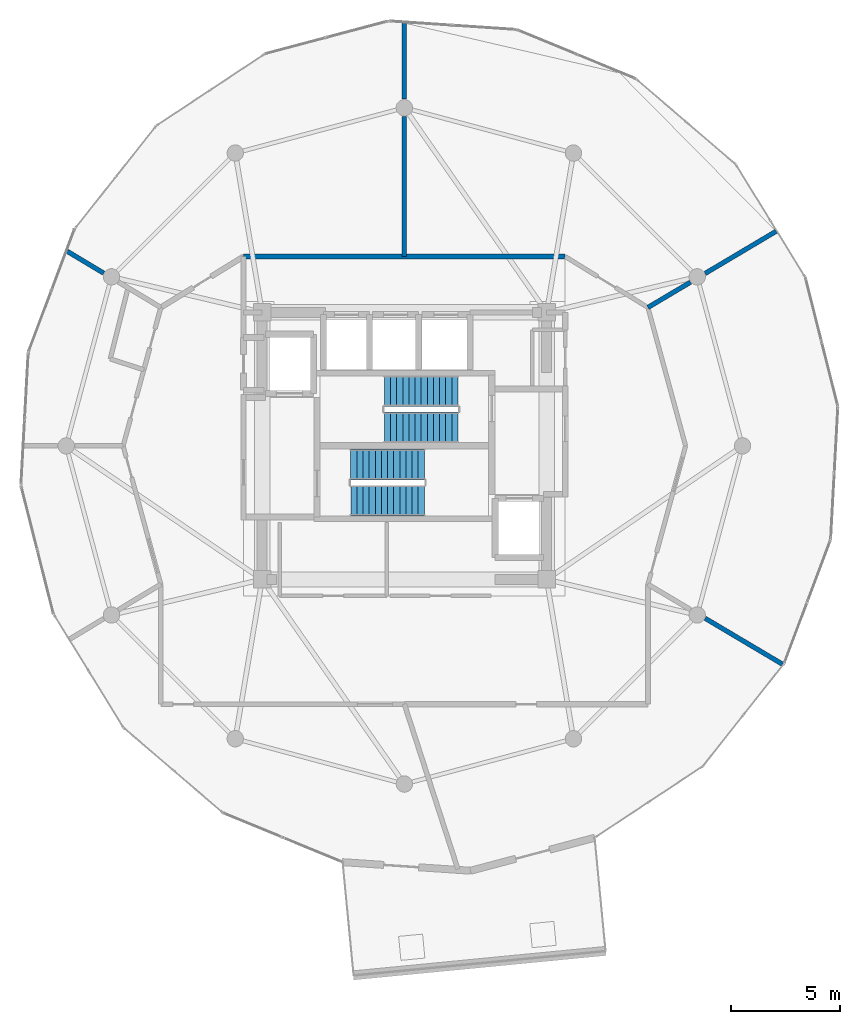
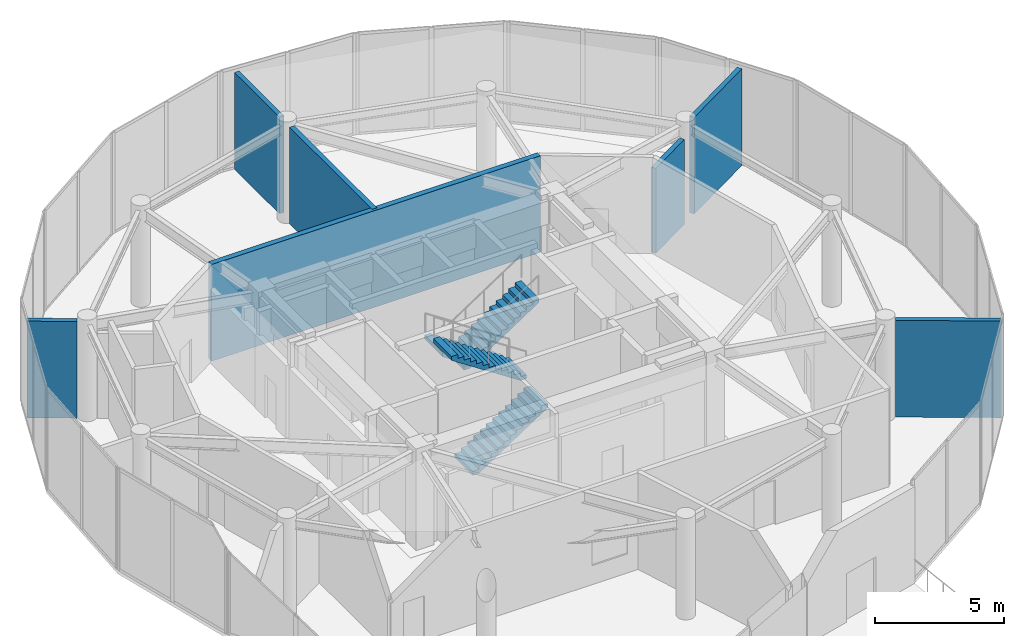
# One storey, part 19 of 21: 7 walls, 4 stair flights, 2 elements without a shape of their own.
"""IFC4 building model written with IfcOpenShell, lengths in metres."""

from ifc_helpers import new_model, si_unit, direction, frame, frame_2d, origin, place, context, subcontext, project, spatial, polyline, rectangle, outline, extrude, material, layer, layer_set, type_object, element, aggregate, save


model = new_model("IFC4")

# Units and contexts
model_context = context("Model", 3, precision=1e-05, world=origin(), true_north=direction((0.0, 1.0)))
body_context = subcontext(model_context, "Body", "Model", "MODEL_VIEW")
ifc_project = project(units=[si_unit("LENGTHUNIT", "METRE"), si_unit("AREAUNIT", "SQUARE_METRE"), si_unit("VOLUMEUNIT", "CUBIC_METRE"), si_unit("PLANEANGLEUNIT", "RADIAN"), si_unit("MASSUNIT", "GRAM", prefix="KILO")], contexts=[model_context])

# Site, building, storey
site_placement = place(None, origin())
site = spatial("IfcSite", under=ifc_project, at=site_placement, CompositionType="ELEMENT")
building_placement = place(site_placement, origin())
building = spatial("IfcBuilding", under=site, at=building_placement, Name="Solvirekh Grand Hotel", CompositionType="ELEMENT")
storey_placement = place(building_placement, frame((0.0, 0.0, 262.0)))
storey = spatial("IfcBuildingStorey", under=building, at=storey_placement, Name="L68", CompositionType="ELEMENT", Elevation=262.0)

# Walls
ifc_material_1 = material(Name="Acoustic Gypsum Partition Assembly")
ifc_layer_1 = layer(ifc_material_1, 0.239990234375)
ifc_layer_set_1 = layer_set([ifc_layer_1], Name="Acoustic Gypsum Partition Assembly")
wall_type_1 = type_object("IfcWallType", Name="Part_Corridor_240", PredefinedType="PARTITIONING", material=ifc_layer_set_1)
wall_1_placement = place(storey_placement, frame((-7.35009765625, 8.64990234375, 0.0), z_axis=(0.0, 0.0, 1.0), x_axis=(1.0, 0.0, 0.0)))
element("IfcWall", 1, at=wall_1_placement, inside=storey, type_object=wall_type_1, Name="L68 north lift lobby enclosure wall", PredefinedType="PARTITIONING", context=body_context, shape_type="SweptSolid", body=[
    extrude(rectangle(XDim=14.7001953125, YDim=0.239990234375, at=frame_2d((7.35009765625, 0.0))), origin(), (0.0, 0.0, 1.0), 4.570068359375),
])
ifc_layer_2 = layer(ifc_material_1, 0.2099609375)
ifc_layer_set_2 = layer_set([ifc_layer_2], Name="Acoustic Gypsum Partition Assembly")
wall_type_2 = type_object("IfcWallType", Name="Part_SuiteDemise_210", PredefinedType="PARTITIONING", material=ifc_layer_set_2)
wall_2_placement = place(storey_placement, frame((11.1279296875, 6.324951171875, 0.0), z_axis=(0.0, 0.0, 1.0), x_axis=(0.859488422008, 0.511155213642, 0.0)))
element("IfcWall", 2, at=wall_2_placement, inside=storey, type_object=wall_type_2, Name="L68 radial demising wall 2 (A)", PredefinedType="PARTITIONING", context=body_context, shape_type="SweptSolid", body=[
    extrude(rectangle(XDim=2.259765625, YDim=0.2099609375, at=frame_2d((1.1298828125, 0.0))), origin(), (0.0, 0.0, 1.0), 4.010986328125),
])
wall_3_placement = place(storey_placement, frame((13.742919921875, 7.8798828125, 0.0), z_axis=(0.0, 0.0, 1.0), x_axis=(0.859656572413, 0.510872369097, 0.0)))
element("IfcWall", 3, at=wall_3_placement, inside=storey, type_object=wall_type_2, Name="L68 radial demising wall 2 (B)", PredefinedType="PARTITIONING", context=body_context, shape_type="SweptSolid", body=[
    extrude(rectangle(XDim=3.77001953125, YDim=0.2099609375, at=frame_2d((1.885009765625, 0.0))), origin(), (0.0, 0.0, 1.0), 4.570068359375),
])
wall_4_placement = place(storey_placement, frame((-13.738037109375, 7.89306640625, 0.0), z_axis=(0.0, 0.0, 1.0), x_axis=(-0.857315615311, 0.514791157407, 0.0)))
element("IfcWall", 4, at=wall_4_placement, inside=storey, type_object=wall_type_2, Name="L68 radial demising wall 6 (B)", PredefinedType="PARTITIONING", context=body_context, shape_type="SweptSolid", body=[
    extrude(rectangle(XDim=1.9443359375, YDim=0.2099609375, at=frame_2d((0.97216796875, 0.0))), origin(), (0.0, 0.0, 1.0), 4.570068359375),
])
wall_5_placement = place(storey_placement, frame((13.743896484375, -7.8779296875, 0.0), z_axis=(0.0, 0.0, 1.0), x_axis=(0.859945978339, -0.510385064768, 0.0)))
element("IfcWall", 5, at=wall_5_placement, inside=storey, type_object=wall_type_2, Name="L68 radial demising wall 12 (B)", PredefinedType="PARTITIONING", context=body_context, shape_type="SweptSolid", body=[
    extrude(rectangle(XDim=4.11083984375, YDim=0.2099609375, at=frame_2d((2.055419921875, 0.0))), origin(), (0.0, 0.0, 1.0), 4.570068359375),
])
wall_6_placement = place(storey_placement, frame((0.0, 8.64990234375, 0.0), z_axis=(0.0, 0.0, 1.0), x_axis=(0.0, 1.0, 0.0)))
element("IfcWall", 6, at=wall_6_placement, inside=storey, type_object=wall_type_2, Name="L68 Vitality Hydrotherapy & Sauna Suite dividing partition 1 (A)", PredefinedType="PARTITIONING", context=body_context, shape_type="SweptSolid", body=[
    extrude(rectangle(XDim=6.405029296875, YDim=0.2099609375, at=frame_2d((3.20263671875, 0.0))), origin(), (0.0, 0.0, 1.0), 4.570068359375),
])
wall_7_placement = place(storey_placement, frame((0.0, 15.844970703125, 0.0), z_axis=(0.0, 0.0, 1.0), x_axis=(0.0, 1.0, 0.0)))
element("IfcWall", 7, at=wall_7_placement, inside=storey, type_object=wall_type_2, Name="L68 Vitality Hydrotherapy & Sauna Suite dividing partition 1 (B)", PredefinedType="PARTITIONING", context=body_context, shape_type="SweptSolid", body=[
    extrude(rectangle(XDim=3.47607421875, YDim=0.2099609375, at=frame_2d((1.738037109375, 0.0))), origin(), (0.0, 0.0, 1.0), 4.570068359375),
])

# Stair, stair flights
ifc_material_2 = material(Name="Concrete C40/50", Category="concrete")
stair_type = type_object("IfcStairType", Name="Stair_Core_1450", PredefinedType="HALF_TURN_STAIR", material=ifc_material_2)
stair_1_placement = place(storey_placement, origin())
stair_1 = element("IfcStair", 8, at=stair_1_placement, inside=storey, type_object=stair_type, Name="L68 Enclosed exit stair ST-1", PredefinedType="HALF_TURN_STAIR")
stair_flight_type = type_object("IfcStairFlightType", Name="Flight_Core_1450", PredefinedType="STRAIGHT", material=ifc_material_2)
stair_flight_1_placement = place(storey_placement, frame((-2.449951171875, -2.5, 0.0), z_axis=(0.0, 0.0, 1.0), x_axis=(1.0, 0.0, 0.0)))
stair_flight_1 = element("IfcStairFlight", 9, at=stair_flight_1_placement, type_object=stair_flight_type, Name="ST-1 flight 1", NumberOfRisers=13, NumberOfTreads=12, PredefinedType="STRAIGHT", RiserHeight=0.184615385, TreadLength=0.28, context=body_context, shape_type="SweptSolid", body=[
    extrude(outline(polyline([(0.0, 0.0), (0.0, 0.1845703125), (0.280029296875, 0.1845703125), (0.280029296875, 0.369140625), (0.56005859375, 0.369140625), (0.56005859375, 0.553955078125), (0.840087890625, 0.553955078125), (0.840087890625, 0.738525390625), (1.1201171875, 0.738525390625), (1.1201171875, 0.923095703125), (1.39990234375, 0.923095703125), (1.39990234375, 1.107666015625), (1.679931640625, 1.107666015625), (1.679931640625, 1.292236328125), (1.9599609375, 1.292236328125), (1.9599609375, 1.476806640625), (2.239990234375, 1.476806640625), (2.239990234375, 1.66162109375), (2.52001953125, 1.66162109375), (2.52001953125, 1.84619140625), (2.800048828125, 1.84619140625), (2.800048828125, 2.03076171875), (3.080078125, 2.03076171875), (3.080078125, 2.21533203125), (3.360107421875, 2.21533203125), (3.360107421875, 2.39990234375), (3.360107421875, 2.035888671875), (0.272216796875, 0.0), (0.0, 0.0)])), frame((0.0, 0.699951171875, 0.0), z_axis=(0.0, -1.0, 0.0), x_axis=(1.0, 0.0, 0.0)), (0.0, 0.0, 1.0), 1.39990234375),
])
stair_flight_2_placement = place(storey_placement, frame((0.909912109375, -0.85009765625, 2.39990234375), z_axis=(0.0, 0.0, 1.0), x_axis=(-1.0, 0.0, 0.0)))
stair_flight_2 = element("IfcStairFlight", 10, at=stair_flight_2_placement, type_object=stair_flight_type, Name="ST-1 flight 2", NumberOfRisers=13, NumberOfTreads=12, PredefinedType="STRAIGHT", RiserHeight=0.184615385, TreadLength=0.28, context=body_context, shape_type="SweptSolid", body=[
    extrude(outline(polyline([(0.0, 0.0), (0.0, 0.1845703125), (0.280029296875, 0.1845703125), (0.280029296875, 0.369140625), (0.56005859375, 0.369140625), (0.56005859375, 0.553955078125), (0.840087890625, 0.553955078125), (0.840087890625, 0.738525390625), (1.1201171875, 0.738525390625), (1.1201171875, 0.923095703125), (1.39990234375, 0.923095703125), (1.39990234375, 1.107666015625), (1.679931640625, 1.107666015625), (1.679931640625, 1.292236328125), (1.9599609375, 1.292236328125), (1.9599609375, 1.476806640625), (2.239990234375, 1.476806640625), (2.239990234375, 1.66162109375), (2.52001953125, 1.66162109375), (2.52001953125, 1.84619140625), (2.800048828125, 1.84619140625), (2.800048828125, 2.03076171875), (3.080078125, 2.03076171875), (3.080078125, 2.21533203125), (3.360107421875, 2.21533203125), (3.360107421875, 2.39990234375), (3.360107421875, 2.035888671875), (0.272216796875, 0.0), (0.0, 0.0)])), frame((0.0, 0.699951171875, 0.0), z_axis=(0.0, -1.0, 0.0), x_axis=(1.0, 0.0, 0.0)), (0.0, 0.0, 1.0), 1.39990234375),
])
aggregate(stair_1, [stair_flight_1, stair_flight_2])

stair_2_placement = place(storey_placement, origin())
stair_2 = element("IfcStair", 11, at=stair_2_placement, inside=storey, type_object=stair_type, Name="L68 Enclosed exit stair ST-2", PredefinedType="HALF_TURN_STAIR")
stair_flight_3_placement = place(storey_placement, frame((2.449951171875, 2.5, 0.0), z_axis=(0.0, 0.0, 1.0), x_axis=(-1.0, 0.0, 0.0)))
stair_flight_3 = element("IfcStairFlight", 12, at=stair_flight_3_placement, type_object=stair_flight_type, Name="ST-2 flight 1", NumberOfRisers=13, NumberOfTreads=12, PredefinedType="STRAIGHT", RiserHeight=0.184615385, TreadLength=0.28, context=body_context, shape_type="SweptSolid", body=[
    extrude(outline(polyline([(0.0, 0.0), (0.0, 0.1845703125), (0.280029296875, 0.1845703125), (0.280029296875, 0.369140625), (0.56005859375, 0.369140625), (0.56005859375, 0.553955078125), (0.840087890625, 0.553955078125), (0.840087890625, 0.738525390625), (1.1201171875, 0.738525390625), (1.1201171875, 0.923095703125), (1.39990234375, 0.923095703125), (1.39990234375, 1.107666015625), (1.679931640625, 1.107666015625), (1.679931640625, 1.292236328125), (1.9599609375, 1.292236328125), (1.9599609375, 1.476806640625), (2.239990234375, 1.476806640625), (2.239990234375, 1.66162109375), (2.52001953125, 1.66162109375), (2.52001953125, 1.84619140625), (2.800048828125, 1.84619140625), (2.800048828125, 2.03076171875), (3.080078125, 2.03076171875), (3.080078125, 2.21533203125), (3.360107421875, 2.21533203125), (3.360107421875, 2.39990234375), (3.360107421875, 2.035888671875), (0.272216796875, 0.0), (0.0, 0.0)])), frame((0.0, 0.699951171875, 0.0), z_axis=(0.0, -1.0, 0.0), x_axis=(1.0, 0.0, 0.0)), (0.0, 0.0, 1.0), 1.39990234375),
])
stair_flight_4_placement = place(storey_placement, frame((-0.909912109375, 0.85009765625, 2.39990234375), z_axis=(0.0, 0.0, 1.0), x_axis=(1.0, 0.0, 0.0)))
stair_flight_4 = element("IfcStairFlight", 13, at=stair_flight_4_placement, type_object=stair_flight_type, Name="ST-2 flight 2", NumberOfRisers=13, NumberOfTreads=12, PredefinedType="STRAIGHT", RiserHeight=0.184615385, TreadLength=0.28, context=body_context, shape_type="SweptSolid", body=[
    extrude(outline(polyline([(0.0, 0.0), (0.0, 0.1845703125), (0.280029296875, 0.1845703125), (0.280029296875, 0.369140625), (0.56005859375, 0.369140625), (0.56005859375, 0.553955078125), (0.840087890625, 0.553955078125), (0.840087890625, 0.738525390625), (1.1201171875, 0.738525390625), (1.1201171875, 0.923095703125), (1.39990234375, 0.923095703125), (1.39990234375, 1.107666015625), (1.679931640625, 1.107666015625), (1.679931640625, 1.292236328125), (1.9599609375, 1.292236328125), (1.9599609375, 1.476806640625), (2.239990234375, 1.476806640625), (2.239990234375, 1.66162109375), (2.52001953125, 1.66162109375), (2.52001953125, 1.84619140625), (2.800048828125, 1.84619140625), (2.800048828125, 2.03076171875), (3.080078125, 2.03076171875), (3.080078125, 2.21533203125), (3.360107421875, 2.21533203125), (3.360107421875, 2.39990234375), (3.360107421875, 2.035888671875), (0.272216796875, 0.0), (0.0, 0.0)])), frame((0.0, 0.699951171875, 0.0), z_axis=(0.0, -1.0, 0.0), x_axis=(1.0, 0.0, 0.0)), (0.0, 0.0, 1.0), 1.39990234375),
])
aggregate(stair_2, [stair_flight_3, stair_flight_4])

save(model, "model.ifc")
